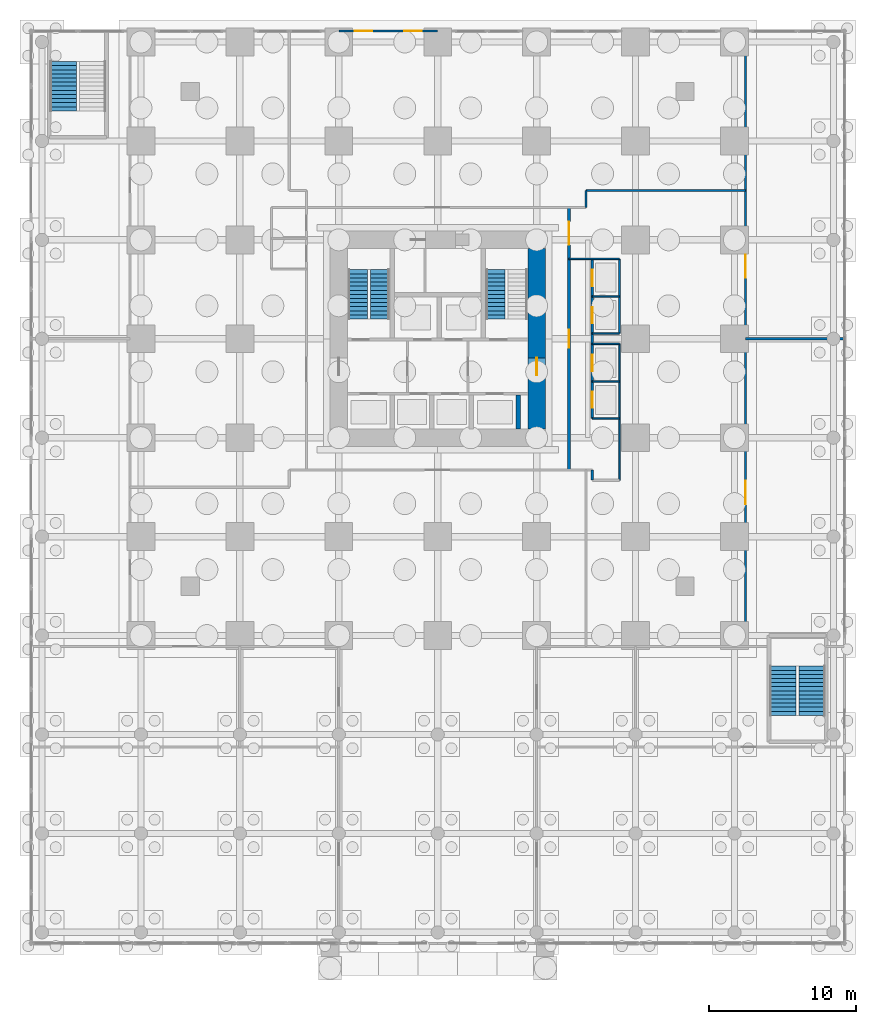
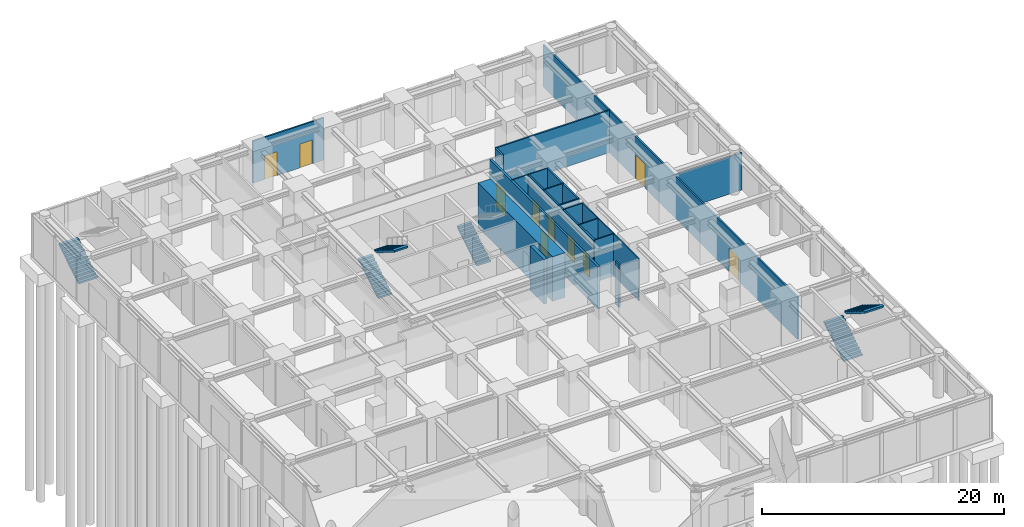
# One storey, part 11 of 14: 18 walls, 11 doors, 6 stair flights, 11 openings, 4 elements without a shape of their own.
"""IFC4 building model written with IfcOpenShell, lengths in metres."""

from ifc_helpers import new_model, si_unit, direction, frame, frame_2d, origin, place, context, subcontext, project, spatial, polyline, rectangle, outline, extrude, material, layer, layer_set, type_object, element, fill, aggregate, save


model = new_model("IFC4")

# Units and contexts
model_context = context("Model", 3, precision=1e-05, world=origin(), true_north=direction((0.0, 1.0)))
body_context = subcontext(model_context, "Body", "Model", "MODEL_VIEW")
ifc_project = project(units=[si_unit("LENGTHUNIT", "METRE"), si_unit("AREAUNIT", "SQUARE_METRE"), si_unit("VOLUMEUNIT", "CUBIC_METRE"), si_unit("PLANEANGLEUNIT", "RADIAN"), si_unit("MASSUNIT", "GRAM", prefix="KILO")], contexts=[model_context])

# Site, building, storey
site_placement = place(None, origin())
site = spatial("IfcSite", under=ifc_project, at=site_placement, CompositionType="ELEMENT")
building_placement = place(site_placement, origin())
building = spatial("IfcBuilding", under=site, at=building_placement, Name="Nyansa Garden Tower", CompositionType="ELEMENT")
storey_placement = place(building_placement, origin())
storey = spatial("IfcBuildingStorey", under=building, at=storey_placement, Name="L00", CompositionType="ELEMENT", Elevation=0.0)

# Wall, openings, doors
ifc_material_1 = material(Name="Black aluminium framed glazed screen", Category="aluminium")
ifc_layer_1 = layer(ifc_material_1, 0.14990234375)
ifc_layer_set_1 = layer_set([ifc_layer_1], Name="Balcony screen wall BW150")
wall_type_1 = type_object("IfcWallType", Name="Balcony screen wall BW150", PredefinedType="SOLIDWALL", material=ifc_layer_set_1)
wall_1_placement = place(storey_placement, frame((13.5, 41.25, 0.0), z_axis=(0.0, 0.0, 1.0), x_axis=(1.0, 0.0, 0.0)))
wall_1 = element("IfcWall", 1, at=wall_1_placement, inside=storey, type_object=wall_type_1, Name="Glazed screen wall L00 N", PredefinedType="SOLIDWALL", context=body_context, shape_type="SweptSolid", body=[
    extrude(rectangle(XDim=6.75, YDim=0.14990234375, at=frame_2d((3.375, 0.0))), origin(), (0.0, 0.0, 1.0), 4.25),
])
opening_1_placement = place(wall_1_placement, frame((1.08740234375, 0.0, 0.0)))
opening_1 = element("IfcOpeningElement", 2, at=opening_1_placement, cuts=wall_1, Name="Opening D31", PredefinedType="OPENING", context=body_context, shape_type="SweptSolid", body=[
    extrude(rectangle(XDim=1.199951171875, YDim=2.39990234375, at=frame_2d((0.60009765625, 1.199951171875))), frame((0.0, 0.0849609375, 0.0), z_axis=(0.0, -1.0, 0.0), x_axis=(1.0, 0.0, 0.0)), (0.0, 0.0, 1.0), 0.169921875),
])
opening_2_placement = place(wall_1_placement, frame((4.46240234375, 0.0, 0.0)))
opening_2 = element("IfcOpeningElement", 3, at=opening_2_placement, cuts=wall_1, Name="Opening D31", PredefinedType="OPENING", context=body_context, shape_type="SweptSolid", body=[
    extrude(rectangle(XDim=1.199951171875, YDim=2.39990234375, at=frame_2d((0.60009765625, 1.199951171875))), frame((0.0, 0.0849609375, 0.0), z_axis=(0.0, -1.0, 0.0), x_axis=(1.0, 0.0, 0.0)), (0.0, 0.0, 1.0), 0.169921875),
])
ifc_material_2 = material(Name="Steel door, powder coated", Category="steel")
door_type_1 = type_object("IfcDoorType", Name="Exit door D31 1200x2400", OperationType="SINGLE_SWING_LEFT", PredefinedType="DOOR", material=ifc_material_2)
door_1_placement = place(opening_1_placement, origin())
door_1 = element("IfcDoor", 4, at=door_1_placement, inside=storey, type_object=door_type_1, Name="Exit door N1", OperationType="SINGLE_SWING_LEFT", OverallHeight=2.39990234375, OverallWidth=1.199951171875, PredefinedType="DOOR", context=body_context, shape_type="SweptSolid", body=[
    extrude(rectangle(XDim=1.199951171875, YDim=2.39990234375, at=frame_2d((0.60009765625, 1.199951171875))), frame((0.0, 0.02490234375, 0.0), z_axis=(0.0, -1.0, 0.0), x_axis=(1.0, 0.0, 0.0)), (0.0, 0.0, 1.0), 0.050048828125),
])
fill(opening_1, door_1)
door_2_placement = place(opening_2_placement, origin())
door_2 = element("IfcDoor", 5, at=door_2_placement, inside=storey, type_object=door_type_1, Name="Exit door N2", OperationType="SINGLE_SWING_LEFT", OverallHeight=2.39990234375, OverallWidth=1.199951171875, PredefinedType="DOOR", context=body_context, shape_type="SweptSolid", body=[
    extrude(rectangle(XDim=1.199951171875, YDim=2.39990234375, at=frame_2d((0.60009765625, 1.199951171875))), frame((0.0, 0.02490234375, 0.0), z_axis=(0.0, -1.0, 0.0), x_axis=(1.0, 0.0, 0.0)), (0.0, 0.0, 1.0), 0.050048828125),
])
fill(opening_2, door_2)

# Wall
ifc_material_3 = material(Name="Concrete C70/85", Category="concrete")
ifc_layer_2 = layer(ifc_material_3, 0.300048828125)
ifc_layer_set_2 = layer_set([ifc_layer_2], Name="Core inner wall CI300")
wall_type_2 = type_object("IfcWallType", Name="Core inner wall CI300", PredefinedType="SHEAR", material=ifc_layer_set_2)
wall_2_placement = place(storey_placement, frame((25.75, 14.10009765625, 0.0), z_axis=(0.0, 0.0, 1.0), x_axis=(0.0, 1.0, 0.0)))
element("IfcWall", 6, at=wall_2_placement, inside=storey, type_object=wall_type_2, Name="Core inner wall L00", PredefinedType="SHEAR", context=body_context, shape_type="SweptSolid", body=[
    extrude(rectangle(XDim=2.2998046875, YDim=0.300048828125, at=frame_2d((1.14990234375, 0.0))), origin(), (0.0, 0.0, 1.0), 4.5),
])

# Wall, opening, door
ifc_material_4 = material(Name="Concrete C80/95", Category="concrete")
ifc_layer_3 = layer(ifc_material_4, 1.199951171875)
ifc_layer_set_3 = layer_set([ifc_layer_3], Name="Core wall CW1200")
wall_type_3 = type_object("IfcWallType", Name="Core wall CW1200", PredefinedType="SHEAR", material=ifc_layer_set_3)
wall_3_placement = place(storey_placement, frame((27.0, 14.10009765625, 0.0), z_axis=(0.0, 0.0, 1.0), x_axis=(0.0, 1.0, 0.0)))
wall_3 = element("IfcWall", 7, at=wall_3_placement, inside=storey, type_object=wall_type_3, Name="Core wall E L00", PredefinedType="SHEAR", context=body_context, shape_type="SweptSolid", body=[
    extrude(rectangle(XDim=12.2998046875, YDim=1.199951171875, at=frame_2d((6.14990234375, 0.0))), origin(), (0.0, 0.0, 1.0), 4.5),
])
opening_3_placement = place(wall_3_placement, frame((3.64990234375, 0.0, 0.0)))
opening_3 = element("IfcOpeningElement", 8, at=opening_3_placement, cuts=wall_3, Name="Opening D06", PredefinedType="OPENING", context=body_context, shape_type="SweptSolid", body=[
    extrude(rectangle(XDim=1.199951171875, YDim=2.199951171875, at=frame_2d((0.60009765625, 1.10009765625))), frame((0.0, 0.60986328125, 0.0), z_axis=(0.0, -1.0, 0.0), x_axis=(1.0, 0.0, 0.0)), (0.0, 0.0, 1.0), 1.219970703125),
])
ifc_material_5 = material(Name="Steel door, 120 minute fire resisting", Category="steel")
door_type_2 = type_object("IfcDoorType", Name="Lobby door D06 1200x2200", OperationType="DOUBLE_DOOR_SINGLE_SWING", PredefinedType="DOOR", material=ifc_material_5)
door_3_placement = place(opening_3_placement, origin())
door_3 = element("IfcDoor", 9, at=door_3_placement, inside=storey, type_object=door_type_2, Name="Lift lobby door east", OperationType="DOUBLE_DOOR_SINGLE_SWING", OverallHeight=2.199951171875, OverallWidth=1.199951171875, PredefinedType="DOOR", context=body_context, shape_type="SweptSolid", body=[
    extrude(rectangle(XDim=1.199951171875, YDim=2.199951171875, at=frame_2d((0.60009765625, 1.10009765625))), frame((0.0, 0.02490234375, 0.0), z_axis=(0.0, -1.0, 0.0), x_axis=(1.0, 0.0, 0.0)), (0.0, 0.0, 1.0), 0.050048828125),
])
fill(opening_3, door_3)

# Wall, openings, doors
ifc_material_6 = material(Name="Concrete blockwork, plastered, 60 minute fire resisting", Category="masonry")
ifc_layer_4 = layer(ifc_material_6, 0.199951171875)
ifc_layer_set_4 = layer_set([ifc_layer_4], Name="Corridor wall FW200")
wall_type_4 = type_object("IfcWallType", Name="Corridor wall FW200", PredefinedType="PARTITIONING", material=ifc_layer_set_4)
wall_4_placement = place(storey_placement, frame((29.199951171875, 11.300048828125, 0.0), z_axis=(0.0, 0.0, 1.0), x_axis=(0.0, 1.0, 0.0)))
wall_4 = element("IfcWall", 10, at=wall_4_placement, inside=storey, type_object=wall_type_4, Name="Corridor wall", PredefinedType="PARTITIONING", context=body_context, shape_type="SweptSolid", body=[
    extrude(rectangle(XDim=17.89990234375, YDim=0.199951171875, at=frame_2d((8.949951171875, 0.0))), origin(), (0.0, 0.0, 1.0), 4.25),
])
opening_4_placement = place(wall_4_placement, frame((15.35009765625, 0.0, 0.0)))
opening_4 = element("IfcOpeningElement", 11, at=opening_4_placement, cuts=wall_4, Name="Opening D12", PredefinedType="OPENING", context=body_context, shape_type="SweptSolid", body=[
    extrude(rectangle(XDim=1.60009765625, YDim=2.39990234375, at=frame_2d((0.800048828125, 1.199951171875))), frame((0.0, 0.10986328125, 0.0), z_axis=(0.0, -1.0, 0.0), x_axis=(1.0, 0.0, 0.0)), (0.0, 0.0, 1.0), 0.219970703125),
])
opening_5_placement = place(wall_4_placement, frame((8.35009765625, 0.0, 0.0)))
opening_5 = element("IfcOpeningElement", 12, at=opening_5_placement, cuts=wall_4, Name="Opening D06", PredefinedType="OPENING", context=body_context, shape_type="SweptSolid", body=[
    extrude(rectangle(XDim=1.199951171875, YDim=2.199951171875, at=frame_2d((0.60009765625, 1.10009765625))), frame((0.0, 0.10986328125, 0.0), z_axis=(0.0, -1.0, 0.0), x_axis=(1.0, 0.0, 0.0)), (0.0, 0.0, 1.0), 0.219970703125),
])
ifc_material_7 = material(Name="Black aluminium glazed door, 60 minute fire resisting", Category="aluminium")
door_type_3 = type_object("IfcDoorType", Name="Amenity door D12 1600x2400", OperationType="DOUBLE_DOOR_SINGLE_SWING", PredefinedType="DOOR", material=ifc_material_7)
door_4_placement = place(opening_4_placement, origin())
door_4 = element("IfcDoor", 13, at=door_4_placement, inside=storey, type_object=door_type_3, Name="Door L00-021", OperationType="DOUBLE_DOOR_SINGLE_SWING", OverallHeight=2.39990234375, OverallWidth=1.60009765625, PredefinedType="DOOR", context=body_context, shape_type="SweptSolid", body=[
    extrude(rectangle(XDim=1.60009765625, YDim=2.39990234375, at=frame_2d((0.800048828125, 1.199951171875))), frame((0.0, 0.02490234375, 0.0), z_axis=(0.0, -1.0, 0.0), x_axis=(1.0, 0.0, 0.0)), (0.0, 0.0, 1.0), 0.050048828125),
])
fill(opening_4, door_4)
door_5_placement = place(opening_5_placement, origin())
door_5 = element("IfcDoor", 14, at=door_5_placement, inside=storey, type_object=door_type_2, Name="Low-rise lift lobby door", OperationType="DOUBLE_DOOR_SINGLE_SWING", OverallHeight=2.199951171875, OverallWidth=1.199951171875, PredefinedType="DOOR", context=body_context, shape_type="SweptSolid", body=[
    extrude(rectangle(XDim=1.199951171875, YDim=2.199951171875, at=frame_2d((0.60009765625, 1.10009765625))), frame((0.0, 0.02490234375, 0.0), z_axis=(0.0, -1.0, 0.0), x_axis=(1.0, 0.0, 0.0)), (0.0, 0.0, 1.0), 0.050048828125),
])
fill(opening_5, door_5)

# Walls
ifc_material_8 = material(Name="Steel-stud shaft wall, two layers fire-rated board, EI 120", Category="steel")
ifc_layer_5 = layer(ifc_material_8, 0.10009765625)
ifc_layer_set_5 = layer_set([ifc_layer_5], Name="Lift shaft wall SW100")
wall_type_5 = type_object("IfcWallType", Name="Lift shaft wall SW100", PredefinedType="SHEAR", material=ifc_layer_set_5)
wall_5_placement = place(storey_placement, frame((29.199951171875, 25.699951171875, 0.0), z_axis=(0.0, 0.0, 1.0), x_axis=(1.0, 0.0, 0.0)))
element("IfcWall", 15, at=wall_5_placement, inside=storey, type_object=wall_type_5, Name="Lift shaft wall", PredefinedType="SHEAR", context=body_context, shape_type="SweptSolid", body=[
    extrude(rectangle(XDim=3.449951171875, YDim=0.10009765625, at=frame_2d((1.72509765625, 0.0))), origin(), (0.0, 0.0, 1.0), 4.25),
])
for number, where, z_axis, x_axis, name in (
    (16, (30.800048828125, 14.800048828125, 0.0), (0.0, 0.0, 1.0), (1.0, 0.0, 0.0), "Lift shaft wall"),
    (17, (30.800048828125, 17.35009765625, 0.0), (0.0, 0.0, 1.0), (1.0, 0.0, 0.0), "Lift shaft wall"),
    (18, (30.800048828125, 19.89990234375, 0.0), (0.0, 0.0, 1.0), (1.0, 0.0, 0.0), "Lift shaft wall"),
    (19, (30.800048828125, 20.60009765625, 0.0), (0.0, 0.0, 1.0), (1.0, 0.0, 0.0), "Lift shaft wall"),
    (20, (30.800048828125, 23.14990234375, 0.0), (0.0, 0.0, 1.0), (1.0, 0.0, 0.0), "Lift shaft wall"),
):
    element("IfcWall", number, at=place(storey_placement, frame(where, z_axis=z_axis, x_axis=x_axis)), inside=storey, type_object=wall_type_5, Name=name, PredefinedType="SHEAR", context=body_context, shape_type="SweptSolid", body=[
        extrude(rectangle(XDim=1.849853515625, YDim=0.10009765625, at=frame_2d((0.9248046875, 0.0))), origin(), (0.0, 0.0, 1.0), 4.25),
    ])
wall_6_placement = place(storey_placement, frame((32.64990234375, 10.60009765625, 0.0), z_axis=(0.0, 0.0, 1.0), x_axis=(0.0, 1.0, 0.0)))
element("IfcWall", 21, at=wall_6_placement, inside=storey, type_object=wall_type_5, Name="Lift shaft wall", PredefinedType="SHEAR", context=body_context, shape_type="SweptSolid", body=[
    extrude(rectangle(XDim=9.2998046875, YDim=0.10009765625, at=frame_2d((4.64990234375, 0.0))), origin(), (0.0, 0.0, 1.0), 4.25),
])
ifc_material_9 = material(Name="Blockwork, plastered both sides", Category="masonry")
ifc_layer_6 = layer(ifc_material_9, 0.14990234375)
ifc_layer_set_6 = layer_set([ifc_layer_6], Name="Partition PW150")
wall_type_6 = type_object("IfcWallType", Name="Partition PW150", PredefinedType="PARTITIONING", material=ifc_layer_set_6)
wall_7_placement = place(storey_placement, frame((30.375, 29.199951171875, 0.0), z_axis=(0.0, 0.0, 1.0), x_axis=(0.0, 1.0, 0.0)))
element("IfcWall", 22, at=wall_7_placement, inside=storey, type_object=wall_type_6, Name="Partition", PredefinedType="PARTITIONING", context=body_context, shape_type="SweptSolid", body=[
    extrude(rectangle(XDim=1.175048828125, YDim=0.14990234375, at=frame_2d((0.58740234375, 0.0))), origin(), (0.0, 0.0, 1.0), 4.25),
])
wall_8_placement = place(storey_placement, frame((30.375, 30.375, 0.0), z_axis=(0.0, 0.0, 1.0), x_axis=(1.0, 0.0, 0.0)))
element("IfcWall", 23, at=wall_8_placement, inside=storey, type_object=wall_type_6, Name="Partition", PredefinedType="PARTITIONING", context=body_context, shape_type="SweptSolid", body=[
    extrude(rectangle(XDim=10.875, YDim=0.14990234375, at=frame_2d((5.4375, 0.0))), origin(), (0.0, 0.0, 1.0), 4.25),
])
wall_9_placement = place(storey_placement, frame((30.800048828125, 10.60009765625, 0.0), z_axis=(0.0, 0.0, 1.0), x_axis=(0.0, 1.0, 0.0)))
element("IfcWall", 24, at=wall_9_placement, inside=storey, type_object=wall_type_6, Name="Partition", PredefinedType="PARTITIONING", context=body_context, shape_type="SweptSolid", body=[
    extrude(rectangle(XDim=0.699951171875, YDim=0.14990234375, at=frame_2d((0.35009765625, 0.0))), origin(), (0.0, 0.0, 1.0), 4.25),
])

# Wall, openings, doors
wall_10_placement = place(storey_placement, frame((30.800048828125, 14.800048828125, 0.0), z_axis=(0.0, 0.0, 1.0), x_axis=(0.0, 1.0, 0.0)))
wall_10 = element("IfcWall", 25, at=wall_10_placement, inside=storey, type_object=wall_type_6, Name="Partition", PredefinedType="PARTITIONING", context=body_context, shape_type="SweptSolid", body=[
    extrude(rectangle(XDim=10.89990234375, YDim=0.14990234375, at=frame_2d((5.449951171875, 0.0))), origin(), (0.0, 0.0, 1.0), 4.25),
])
opening_6_placement = place(wall_10_placement, frame((0.75, 0.0, 0.0)))
opening_6 = element("IfcOpeningElement", 26, at=opening_6_placement, cuts=wall_10, Name="Opening LD-A", PredefinedType="OPENING", context=body_context, shape_type="SweptSolid", body=[
    extrude(rectangle(XDim=1.10009765625, YDim=2.199951171875, at=frame_2d((0.550048828125, 1.10009765625))), frame((0.0, 0.0849609375, 0.0), z_axis=(0.0, -1.0, 0.0), x_axis=(1.0, 0.0, 0.0)), (0.0, 0.0, 1.0), 0.169921875),
])
opening_7_placement = place(wall_10_placement, frame((3.25, 0.0, 0.0)))
opening_7 = element("IfcOpeningElement", 27, at=opening_7_placement, cuts=wall_10, Name="Opening LD-A", PredefinedType="OPENING", context=body_context, shape_type="SweptSolid", body=[
    extrude(rectangle(XDim=1.10009765625, YDim=2.199951171875, at=frame_2d((0.550048828125, 1.10009765625))), frame((0.0, 0.0849609375, 0.0), z_axis=(0.0, -1.0, 0.0), x_axis=(1.0, 0.0, 0.0)), (0.0, 0.0, 1.0), 0.169921875),
])
opening_8_placement = place(wall_10_placement, frame((6.5, 0.0, 0.0)))
opening_8 = element("IfcOpeningElement", 28, at=opening_8_placement, cuts=wall_10, Name="Opening LD-A", PredefinedType="OPENING", context=body_context, shape_type="SweptSolid", body=[
    extrude(rectangle(XDim=1.10009765625, YDim=2.199951171875, at=frame_2d((0.550048828125, 1.10009765625))), frame((0.0, 0.0849609375, 0.0), z_axis=(0.0, -1.0, 0.0), x_axis=(1.0, 0.0, 0.0)), (0.0, 0.0, 1.0), 0.169921875),
])
opening_9_placement = place(wall_10_placement, frame((9.050048828125, 0.0, 0.0)))
opening_9 = element("IfcOpeningElement", 29, at=opening_9_placement, cuts=wall_10, Name="Opening LD-A", PredefinedType="OPENING", context=body_context, shape_type="SweptSolid", body=[
    extrude(rectangle(XDim=1.10009765625, YDim=2.199951171875, at=frame_2d((0.550048828125, 1.10009765625))), frame((0.0, 0.0849609375, 0.0), z_axis=(0.0, -1.0, 0.0), x_axis=(1.0, 0.0, 0.0)), (0.0, 0.0, 1.0), 0.169921875),
])
ifc_material_10 = material(Name="Stainless steel centre-opening landing door of the low-rise lift, E 120", Category="steel")
door_type_4 = type_object("IfcDoorType", Name="Lift landing door LD-A 1100x2200", OperationType="DOUBLE_DOOR_SLIDING", PredefinedType="DOOR", material=ifc_material_10)
door_6_placement = place(opening_6_placement, origin())
door_6 = element("IfcDoor", 30, at=door_6_placement, inside=storey, type_object=door_type_4, Name="Landing door A1", OperationType="DOUBLE_DOOR_SLIDING", OverallHeight=2.199951171875, OverallWidth=1.10009765625, PredefinedType="DOOR", context=body_context, shape_type="SweptSolid", body=[
    extrude(rectangle(XDim=1.10009765625, YDim=2.199951171875, at=frame_2d((0.550048828125, 1.10009765625))), frame((0.0, 0.02490234375, 0.0), z_axis=(0.0, -1.0, 0.0), x_axis=(1.0, 0.0, 0.0)), (0.0, 0.0, 1.0), 0.050048828125),
])
fill(opening_6, door_6)
door_7_placement = place(opening_7_placement, origin())
door_7 = element("IfcDoor", 31, at=door_7_placement, inside=storey, type_object=door_type_4, Name="Landing door A2", OperationType="DOUBLE_DOOR_SLIDING", OverallHeight=2.199951171875, OverallWidth=1.10009765625, PredefinedType="DOOR", context=body_context, shape_type="SweptSolid", body=[
    extrude(rectangle(XDim=1.10009765625, YDim=2.199951171875, at=frame_2d((0.550048828125, 1.10009765625))), frame((0.0, 0.02490234375, 0.0), z_axis=(0.0, -1.0, 0.0), x_axis=(1.0, 0.0, 0.0)), (0.0, 0.0, 1.0), 0.050048828125),
])
fill(opening_7, door_7)
door_8_placement = place(opening_8_placement, origin())
door_8 = element("IfcDoor", 32, at=door_8_placement, inside=storey, type_object=door_type_4, Name="Landing door A3", OperationType="DOUBLE_DOOR_SLIDING", OverallHeight=2.199951171875, OverallWidth=1.10009765625, PredefinedType="DOOR", context=body_context, shape_type="SweptSolid", body=[
    extrude(rectangle(XDim=1.10009765625, YDim=2.199951171875, at=frame_2d((0.550048828125, 1.10009765625))), frame((0.0, 0.02490234375, 0.0), z_axis=(0.0, -1.0, 0.0), x_axis=(1.0, 0.0, 0.0)), (0.0, 0.0, 1.0), 0.050048828125),
])
fill(opening_8, door_8)
door_9_placement = place(opening_9_placement, origin())
door_9 = element("IfcDoor", 33, at=door_9_placement, inside=storey, type_object=door_type_4, Name="Landing door A4", OperationType="DOUBLE_DOOR_SLIDING", OverallHeight=2.199951171875, OverallWidth=1.10009765625, PredefinedType="DOOR", context=body_context, shape_type="SweptSolid", body=[
    extrude(rectangle(XDim=1.10009765625, YDim=2.199951171875, at=frame_2d((0.550048828125, 1.10009765625))), frame((0.0, 0.02490234375, 0.0), z_axis=(0.0, -1.0, 0.0), x_axis=(1.0, 0.0, 0.0)), (0.0, 0.0, 1.0), 0.050048828125),
])
fill(opening_9, door_9)

# Wall
wall_11_placement = place(storey_placement, frame((32.64990234375, 20.60009765625, 0.0), z_axis=(0.0, 0.0, 1.0), x_axis=(0.0, 1.0, 0.0)))
element("IfcWall", 34, at=wall_11_placement, inside=storey, type_object=wall_type_6, Name="Partition", PredefinedType="PARTITIONING", context=body_context, shape_type="SweptSolid", body=[
    extrude(rectangle(XDim=5.099853515625, YDim=0.14990234375, at=frame_2d((2.5498046875, 0.0))), origin(), (0.0, 0.0, 1.0), 4.25),
])

# Wall, openings, doors
wall_12_placement = place(storey_placement, frame((41.25, -0.75, 0.0), z_axis=(0.0, 0.0, 1.0), x_axis=(0.0, 1.0, 0.0)))
wall_12 = element("IfcWall", 35, at=wall_12_placement, inside=storey, type_object=wall_type_6, Name="Partition", PredefinedType="PARTITIONING", context=body_context, shape_type="SweptSolid", body=[
    extrude(rectangle(XDim=41.98388671875, YDim=0.14990234375, at=frame_2d((20.991943359375, 0.0))), origin(), (0.0, 0.0, 1.0), 4.25),
])
opening_10_placement = place(wall_12_placement, frame((9.699951171875, 0.0, 0.0)))
opening_10 = element("IfcOpeningElement", 36, at=opening_10_placement, cuts=wall_12, Name="Opening D12", PredefinedType="OPENING", context=body_context, shape_type="SweptSolid", body=[
    extrude(rectangle(XDim=1.60009765625, YDim=2.39990234375, at=frame_2d((0.800048828125, 1.199951171875))), frame((0.0, 0.0849609375, 0.0), z_axis=(0.0, -1.0, 0.0), x_axis=(1.0, 0.0, 0.0)), (0.0, 0.0, 1.0), 0.169921875),
])
opening_11_placement = place(wall_12_placement, frame((25.14990234375, 0.0, 0.0)))
opening_11 = element("IfcOpeningElement", 37, at=opening_11_placement, cuts=wall_12, Name="Opening D12", PredefinedType="OPENING", context=body_context, shape_type="SweptSolid", body=[
    extrude(rectangle(XDim=1.60009765625, YDim=2.39990234375, at=frame_2d((0.800048828125, 1.199951171875))), frame((0.0, 0.0849609375, 0.0), z_axis=(0.0, -1.0, 0.0), x_axis=(1.0, 0.0, 0.0)), (0.0, 0.0, 1.0), 0.169921875),
])
door_10_placement = place(opening_10_placement, origin())
door_10 = element("IfcDoor", 38, at=door_10_placement, inside=storey, type_object=door_type_3, Name="Door L00-032", OperationType="DOUBLE_DOOR_SINGLE_SWING", OverallHeight=2.39990234375, OverallWidth=1.60009765625, PredefinedType="DOOR", context=body_context, shape_type="SweptSolid", body=[
    extrude(rectangle(XDim=1.60009765625, YDim=2.39990234375, at=frame_2d((0.800048828125, 1.199951171875))), frame((0.0, 0.02490234375, 0.0), z_axis=(0.0, -1.0, 0.0), x_axis=(1.0, 0.0, 0.0)), (0.0, 0.0, 1.0), 0.050048828125),
])
fill(opening_10, door_10)
door_11_placement = place(opening_11_placement, origin())
door_11 = element("IfcDoor", 39, at=door_11_placement, inside=storey, type_object=door_type_3, Name="Door L00-033", OperationType="DOUBLE_DOOR_SINGLE_SWING", OverallHeight=2.39990234375, OverallWidth=1.60009765625, PredefinedType="DOOR", context=body_context, shape_type="SweptSolid", body=[
    extrude(rectangle(XDim=1.60009765625, YDim=2.39990234375, at=frame_2d((0.800048828125, 1.199951171875))), frame((0.0, 0.02490234375, 0.0), z_axis=(0.0, -1.0, 0.0), x_axis=(1.0, 0.0, 0.0)), (0.0, 0.0, 1.0), 0.050048828125),
])
fill(opening_11, door_11)

# Wall
wall_13_placement = place(storey_placement, frame((41.25, 20.25, 0.0), z_axis=(0.0, 0.0, 1.0), x_axis=(1.0, 0.0, 0.0)))
element("IfcWall", 40, at=wall_13_placement, inside=storey, type_object=wall_type_6, Name="Partition", PredefinedType="PARTITIONING", context=body_context, shape_type="SweptSolid", body=[
    extrude(rectangle(XDim=6.73388671875, YDim=0.14990234375, at=frame_2d((3.366943359375, 0.0))), origin(), (0.0, 0.0, 1.0), 3.751953125),
])

# Stair, stair flights
ifc_material_11 = material(Name="Precast concrete C40/50", Category="concrete")
stair_type_1 = type_object("IfcStairType", Name="Stair S1 173x280", PredefinedType="HALF_TURN_STAIR", material=ifc_material_11)
stair_1_placement = place(storey_placement, origin())
stair_1 = element("IfcStair", 41, at=stair_1_placement, inside=storey, type_object=stair_type_1, Name="Stair S1 L00", PredefinedType="HALF_TURN_STAIR")
ifc_material_12 = material(Name="Precast concrete C40/50", Category="concrete")
stair_flight_type_1 = type_object("IfcStairFlightType", Name="Stair flight S1 173x280x13", PredefinedType="STRAIGHT", material=ifc_material_12)
stair_flight_1_placement = place(storey_placement, frame((14.800048828125, 21.60009765625, 0.0), z_axis=(0.0, 0.0, 1.0), x_axis=(0.0, 1.0, 0.0)))
stair_flight_1 = element("IfcStairFlight", 42, at=stair_flight_1_placement, type_object=stair_flight_type_1, Name="S1 flight 1", NumberOfRisers=13, NumberOfTreads=12, PredefinedType="STRAIGHT", RiserHeight=0.173076923, TreadLength=0.28, context=body_context, shape_type="SweptSolid", body=[
    extrude(outline(polyline([(0.0, 0.0), (0.0, 0.173095703125), (0.280029296875, 0.173095703125), (0.280029296875, 0.34619140625), (0.56005859375, 0.34619140625), (0.56005859375, 0.519287109375), (0.840087890625, 0.519287109375), (0.840087890625, 0.6923828125), (1.1201171875, 0.6923828125), (1.1201171875, 0.865478515625), (1.39990234375, 0.865478515625), (1.39990234375, 1.03857421875), (1.679931640625, 1.03857421875), (1.679931640625, 1.21142578125), (1.9599609375, 1.21142578125), (1.9599609375, 1.384521484375), (2.239990234375, 1.384521484375), (2.239990234375, 1.5576171875), (2.52001953125, 1.5576171875), (2.52001953125, 1.730712890625), (2.800048828125, 1.730712890625), (2.800048828125, 1.90380859375), (3.080078125, 1.90380859375), (3.080078125, 2.076904296875), (3.360107421875, 2.076904296875), (3.360107421875, 2.25), (3.360107421875, 1.900634765625), (0.28515625, 0.0), (0.0, 0.0)])), frame((0.0, 0.64990234375, 0.0), z_axis=(0.0, -1.0, 0.0), x_axis=(1.0, 0.0, 0.0)), (0.0, 0.0, 1.0), 1.300048828125),
])
stair_flight_2_placement = place(storey_placement, frame((16.300048828125, 24.9599609375, 2.25), z_axis=(0.0, 0.0, 1.0), x_axis=(0.0, -1.0, 0.0)))
stair_flight_2 = element("IfcStairFlight", 43, at=stair_flight_2_placement, type_object=stair_flight_type_1, Name="S1 flight 2", NumberOfRisers=13, NumberOfTreads=12, PredefinedType="STRAIGHT", RiserHeight=0.173076923, TreadLength=0.28, context=body_context, shape_type="SweptSolid", body=[
    extrude(outline(polyline([(0.0, 0.0), (0.0, 0.173095703125), (0.280029296875, 0.173095703125), (0.280029296875, 0.34619140625), (0.56005859375, 0.34619140625), (0.56005859375, 0.519287109375), (0.840087890625, 0.519287109375), (0.840087890625, 0.6923828125), (1.1201171875, 0.6923828125), (1.1201171875, 0.865478515625), (1.39990234375, 0.865478515625), (1.39990234375, 1.03857421875), (1.679931640625, 1.03857421875), (1.679931640625, 1.21142578125), (1.9599609375, 1.21142578125), (1.9599609375, 1.384521484375), (2.239990234375, 1.384521484375), (2.239990234375, 1.5576171875), (2.52001953125, 1.5576171875), (2.52001953125, 1.730712890625), (2.800048828125, 1.730712890625), (2.800048828125, 1.90380859375), (3.080078125, 1.90380859375), (3.080078125, 2.076904296875), (3.360107421875, 2.076904296875), (3.360107421875, 2.25), (3.360107421875, 1.900634765625), (0.28515625, 0.0), (0.0, 0.0)])), frame((0.0, 0.64990234375, 0.0), z_axis=(0.0, -1.0, 0.0), x_axis=(1.0, 0.0, 0.0)), (0.0, 0.0, 1.0), 1.300048828125),
])
aggregate(stair_1, [stair_flight_1, stair_flight_2])

# Stair, stair flight
ifc_material_13 = material(Name="Precast concrete C40/50", Category="concrete")
stair_type_2 = type_object("IfcStairType", Name="Stair S2 173x280", PredefinedType="HALF_TURN_STAIR", material=ifc_material_13)
stair_2_placement = place(storey_placement, origin())
stair_2 = element("IfcStair", 44, at=stair_2_placement, inside=storey, type_object=stair_type_2, Name="Stair S2 L00", PredefinedType="HALF_TURN_STAIR")
ifc_material_14 = material(Name="Precast concrete C40/50", Category="concrete")
stair_flight_type_2 = type_object("IfcStairFlightType", Name="Stair flight S2 173x280x13", PredefinedType="STRAIGHT", material=ifc_material_14)
stair_flight_3_placement = place(storey_placement, frame((24.199951171875, 21.60009765625, 0.0), z_axis=(0.0, 0.0, 1.0), x_axis=(0.0, 1.0, 0.0)))
stair_flight_3 = element("IfcStairFlight", 45, at=stair_flight_3_placement, type_object=stair_flight_type_2, Name="S2 flight 1", NumberOfRisers=13, NumberOfTreads=12, PredefinedType="STRAIGHT", RiserHeight=0.173076923, TreadLength=0.28, context=body_context, shape_type="SweptSolid", body=[
    extrude(outline(polyline([(0.0, 0.0), (0.0, 0.173095703125), (0.280029296875, 0.173095703125), (0.280029296875, 0.34619140625), (0.56005859375, 0.34619140625), (0.56005859375, 0.519287109375), (0.840087890625, 0.519287109375), (0.840087890625, 0.6923828125), (1.1201171875, 0.6923828125), (1.1201171875, 0.865478515625), (1.39990234375, 0.865478515625), (1.39990234375, 1.03857421875), (1.679931640625, 1.03857421875), (1.679931640625, 1.21142578125), (1.9599609375, 1.21142578125), (1.9599609375, 1.384521484375), (2.239990234375, 1.384521484375), (2.239990234375, 1.5576171875), (2.52001953125, 1.5576171875), (2.52001953125, 1.730712890625), (2.800048828125, 1.730712890625), (2.800048828125, 1.90380859375), (3.080078125, 1.90380859375), (3.080078125, 2.076904296875), (3.360107421875, 2.076904296875), (3.360107421875, 2.25), (3.360107421875, 1.900634765625), (0.28515625, 0.0), (0.0, 0.0)])), frame((0.0, 0.64990234375, 0.0), z_axis=(0.0, -1.0, 0.0), x_axis=(1.0, 0.0, 0.0)), (0.0, 0.0, 1.0), 1.300048828125),
])
aggregate(stair_2, [stair_flight_3])

ifc_material_15 = material(Name="Precast concrete C40/50", Category="concrete")
stair_type_3 = type_object("IfcStairType", Name="Stair S3 173x280", PredefinedType="HALF_TURN_STAIR", material=ifc_material_15)
stair_3_placement = place(storey_placement, origin())
stair_3 = element("IfcStair", 46, at=stair_3_placement, inside=storey, type_object=stair_type_3, Name="Stair S3 L00", PredefinedType="HALF_TURN_STAIR")
ifc_material_16 = material(Name="Precast concrete C40/50", Category="concrete")
stair_flight_type_3 = type_object("IfcStairFlightType", Name="Stair flight S3 173x280x13", PredefinedType="STRAIGHT", material=ifc_material_16)
stair_flight_4_placement = place(storey_placement, frame((-5.300048828125, 35.800048828125, 0.0), z_axis=(0.0, 0.0, 1.0), x_axis=(0.0, 1.0, 0.0)))
stair_flight_4 = element("IfcStairFlight", 47, at=stair_flight_4_placement, type_object=stair_flight_type_3, Name="S3 flight 1", NumberOfRisers=13, NumberOfTreads=12, PredefinedType="STRAIGHT", RiserHeight=0.173076923, TreadLength=0.28, context=body_context, shape_type="SweptSolid", body=[
    extrude(outline(polyline([(0.0, 0.0), (0.0, 0.173095703125), (0.280029296875, 0.173095703125), (0.280029296875, 0.34619140625), (0.56005859375, 0.34619140625), (0.56005859375, 0.519287109375), (0.840087890625, 0.519287109375), (0.840087890625, 0.6923828125), (1.1201171875, 0.6923828125), (1.1201171875, 0.865478515625), (1.39990234375, 0.865478515625), (1.39990234375, 1.03857421875), (1.679931640625, 1.03857421875), (1.679931640625, 1.21142578125), (1.9599609375, 1.21142578125), (1.9599609375, 1.384521484375), (2.239990234375, 1.384521484375), (2.239990234375, 1.5576171875), (2.52001953125, 1.5576171875), (2.52001953125, 1.730712890625), (2.800048828125, 1.730712890625), (2.800048828125, 1.90380859375), (3.080078125, 1.90380859375), (3.080078125, 2.076904296875), (3.360107421875, 2.076904296875), (3.360107421875, 2.25), (3.360107421875, 1.900634765625), (0.28515625, 0.0), (0.0, 0.0)])), frame((0.0, 0.89990234375, 0.0), z_axis=(0.0, -1.0, 0.0), x_axis=(1.0, 0.0, 0.0)), (0.0, 0.0, 1.0), 1.800048828125),
])
aggregate(stair_3, [stair_flight_4])

# Stair, stair flights
ifc_material_17 = material(Name="Precast concrete C40/50", Category="concrete")
stair_type_4 = type_object("IfcStairType", Name="Stair S4 173x280", PredefinedType="HALF_TURN_STAIR", material=ifc_material_17)
stair_4_placement = place(storey_placement, origin())
stair_4 = element("IfcStair", 48, at=stair_4_placement, inside=storey, type_object=stair_type_4, Name="Stair S4 L00", PredefinedType="HALF_TURN_STAIR")
ifc_material_18 = material(Name="Precast concrete C40/50", Category="concrete")
stair_flight_type_4 = type_object("IfcStairFlightType", Name="Stair flight S4 173x280x13", PredefinedType="STRAIGHT", material=ifc_material_18)
stair_flight_5_placement = place(storey_placement, frame((43.800048828125, -5.449951171875, 0.0), z_axis=(0.0, 0.0, 1.0), x_axis=(0.0, 1.0, 0.0)))
stair_flight_5 = element("IfcStairFlight", 49, at=stair_flight_5_placement, type_object=stair_flight_type_4, Name="S4 flight 1", NumberOfRisers=13, NumberOfTreads=12, PredefinedType="STRAIGHT", RiserHeight=0.173076923, TreadLength=0.28, context=body_context, shape_type="SweptSolid", body=[
    extrude(outline(polyline([(0.0, 0.0), (0.0, 0.173095703125), (0.280029296875, 0.173095703125), (0.280029296875, 0.34619140625), (0.56005859375, 0.34619140625), (0.56005859375, 0.519287109375), (0.840087890625, 0.519287109375), (0.840087890625, 0.6923828125), (1.1201171875, 0.6923828125), (1.1201171875, 0.865478515625), (1.39990234375, 0.865478515625), (1.39990234375, 1.03857421875), (1.679931640625, 1.03857421875), (1.679931640625, 1.21142578125), (1.9599609375, 1.21142578125), (1.9599609375, 1.384521484375), (2.239990234375, 1.384521484375), (2.239990234375, 1.5576171875), (2.52001953125, 1.5576171875), (2.52001953125, 1.730712890625), (2.800048828125, 1.730712890625), (2.800048828125, 1.90380859375), (3.080078125, 1.90380859375), (3.080078125, 2.076904296875), (3.360107421875, 2.076904296875), (3.360107421875, 2.25), (3.360107421875, 1.900634765625), (0.28515625, 0.0), (0.0, 0.0)])), frame((0.0, 0.89990234375, 0.0), z_axis=(0.0, -1.0, 0.0), x_axis=(1.0, 0.0, 0.0)), (0.0, 0.0, 1.0), 1.800048828125),
])
stair_flight_6_placement = place(storey_placement, frame((45.800048828125, -2.090087890625, 2.25), z_axis=(0.0, 0.0, 1.0), x_axis=(0.0, -1.0, 0.0)))
stair_flight_6 = element("IfcStairFlight", 50, at=stair_flight_6_placement, type_object=stair_flight_type_4, Name="S4 flight 2", NumberOfRisers=13, NumberOfTreads=12, PredefinedType="STRAIGHT", RiserHeight=0.173076923, TreadLength=0.28, context=body_context, shape_type="SweptSolid", body=[
    extrude(outline(polyline([(0.0, 0.0), (0.0, 0.173095703125), (0.280029296875, 0.173095703125), (0.280029296875, 0.34619140625), (0.56005859375, 0.34619140625), (0.56005859375, 0.519287109375), (0.840087890625, 0.519287109375), (0.840087890625, 0.6923828125), (1.1201171875, 0.6923828125), (1.1201171875, 0.865478515625), (1.39990234375, 0.865478515625), (1.39990234375, 1.03857421875), (1.679931640625, 1.03857421875), (1.679931640625, 1.21142578125), (1.9599609375, 1.21142578125), (1.9599609375, 1.384521484375), (2.239990234375, 1.384521484375), (2.239990234375, 1.5576171875), (2.52001953125, 1.5576171875), (2.52001953125, 1.730712890625), (2.800048828125, 1.730712890625), (2.800048828125, 1.90380859375), (3.080078125, 1.90380859375), (3.080078125, 2.076904296875), (3.360107421875, 2.076904296875), (3.360107421875, 2.25), (3.360107421875, 1.900634765625), (0.28515625, 0.0), (0.0, 0.0)])), frame((0.0, 0.89990234375, 0.0), z_axis=(0.0, -1.0, 0.0), x_axis=(1.0, 0.0, 0.0)), (0.0, 0.0, 1.0), 1.800048828125),
])
aggregate(stair_4, [stair_flight_5, stair_flight_6])

save(model, "model.ifc")
